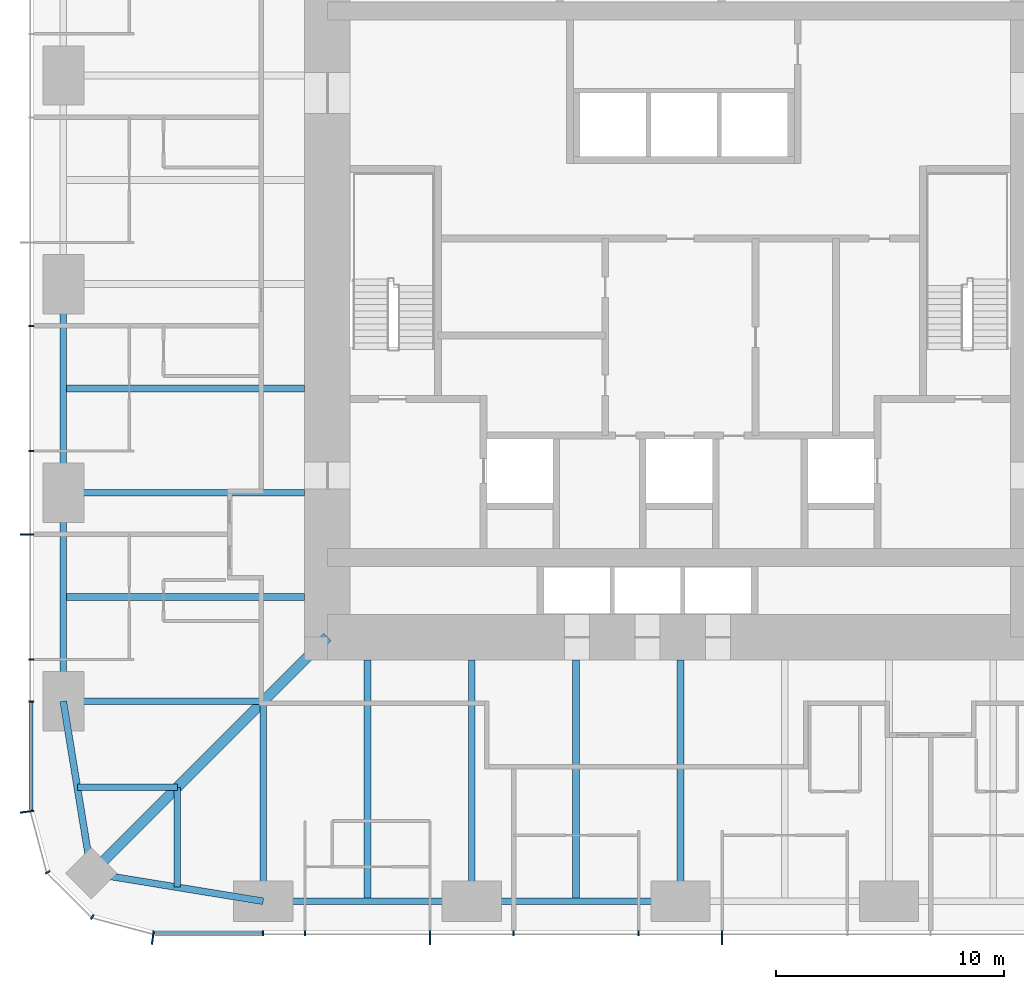
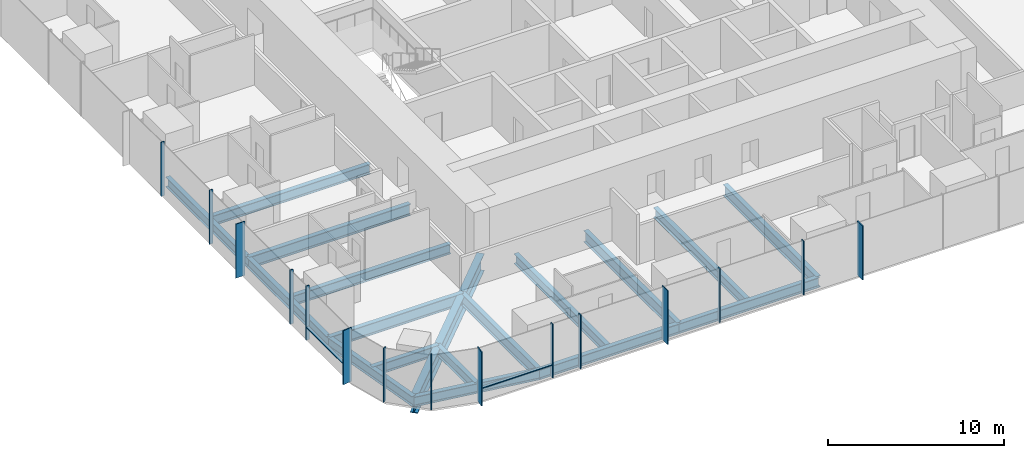
# One storey, part 2 of 13: 18 beams, 17 members, 3 elements without a shape of their own.
"""IFC4 building model written with IfcOpenShell, lengths in metres."""

from ifc_helpers import new_model, si_unit, direction, frame, origin, origin_2d, place, context, subcontext, project, spatial, rectangle, i_section, extrude, material, material_profile, profile_set, type_object, element, aggregate, save


model = new_model("IFC4")

# Units and contexts
model_context = context("Model", 3, precision=1e-05, world=origin(), true_north=direction((0.0, 1.0)))
body_context = subcontext(model_context, "Body", "Model", "MODEL_VIEW")
ifc_project = project(units=[si_unit("LENGTHUNIT", "METRE"), si_unit("AREAUNIT", "SQUARE_METRE"), si_unit("VOLUMEUNIT", "CUBIC_METRE"), si_unit("PLANEANGLEUNIT", "RADIAN"), si_unit("MASSUNIT", "GRAM", prefix="KILO")], contexts=[model_context])

# Site, building, storey
site_placement = place(None, origin())
site = spatial("IfcSite", under=ifc_project, at=site_placement, CompositionType="ELEMENT")
building_placement = place(site_placement, origin())
building = spatial("IfcBuilding", under=site, at=building_placement, Name="Khuree Lantern Residences", CompositionType="ELEMENT")
storey_placement = place(building_placement, frame((0.0, 0.0, 156.0)))
storey = spatial("IfcBuildingStorey", under=building, at=storey_placement, Name="L39", CompositionType="ELEMENT", Elevation=156.0)

# Beams
ifc_material_1 = material(Name="Steel S355", Category="steel")
ifc_material_profile_1 = material_profile(ifc_material_1, i_section(OverallWidth=0.300048828125, OverallDepth=0.68994140625, WebThickness=0.014404296875, FlangeThickness=0.027099609375, FilletRadius=0.027099609375, at=origin_2d()), Name="HE 700 A")
ifc_profile_set_1 = profile_set([ifc_material_profile_1], Name="Steel S355")
beam_type_1 = type_object("IfcBeamType", Name="B-24 SECONDARY BEAM HE 700 A", PredefinedType="BEAM", material=ifc_profile_set_1)
for number, where, z_axis, x_axis, name in (
    (1, (-4.580078125, -27.10009765625, -0.594970703125), (0.0, 1.0, 0.0), (-1.0, 0.0, 0.0), "Secondary beam S4"),
    (2, (-13.739990234375, -27.10009765625, -0.594970703125), (0.0, 1.0, 0.0), (-1.0, 0.0, 0.0), "Secondary beam S5"),
):
    element("IfcBeam", number, at=place(storey_placement, frame(where, z_axis=z_axis, x_axis=x_axis)), inside=storey, type_object=beam_type_1, Name=name, PredefinedType="BEAM", context=body_context, shape_type="SweptSolid", body=[
        extrude(i_section(OverallWidth=0.300048828125, OverallDepth=0.68994140625, WebThickness=0.014404296875, FlangeThickness=0.027099609375, FilletRadius=0.027099609375, at=origin_2d()), origin(), (0.0, 0.0, 1.0), 10.60009765625),
    ])
for number, where, z_axis, x_axis, name in (
    (3, (-22.094970703125, -26.48486328125, -0.594970703125), (0.0, 1.0, 0.0), (-1.0, 0.0, 0.0), "Secondary beam S6"),
    (4, (-26.48486328125, -22.094970703125, -0.594970703125), (1.0, 0.0, 0.0), (0.0, 1.0, 0.0), "Secondary beam W1"),
):
    element("IfcBeam", number, at=place(storey_placement, frame(where, z_axis=z_axis, x_axis=x_axis)), inside=storey, type_object=beam_type_1, Name=name, PredefinedType="BEAM", context=body_context, shape_type="SweptSolid", body=[
        extrude(i_section(OverallWidth=0.300048828125, OverallDepth=0.68994140625, WebThickness=0.014404296875, FlangeThickness=0.027099609375, FilletRadius=0.027099609375, at=origin_2d()), origin(), (0.0, 0.0, 1.0), 4.389892578125),
    ])
for number, where, z_axis, x_axis, name in (
    (5, (-27.10009765625, -13.739990234375, -0.594970703125), (1.0, 0.0, 0.0), (0.0, 1.0, 0.0), "Secondary beam W2"),
    (6, (-27.10009765625, -4.580078125, -0.594970703125), (1.0, 0.0, 0.0), (0.0, 1.0, 0.0), "Secondary beam W3"),
):
    element("IfcBeam", number, at=place(storey_placement, frame(where, z_axis=z_axis, x_axis=x_axis)), inside=storey, type_object=beam_type_1, Name=name, PredefinedType="BEAM", context=body_context, shape_type="SweptSolid", body=[
        extrude(i_section(OverallWidth=0.300048828125, OverallDepth=0.68994140625, WebThickness=0.014404296875, FlangeThickness=0.027099609375, FilletRadius=0.027099609375, at=origin_2d()), origin(), (0.0, 0.0, 1.0), 10.60009765625),
    ])
ifc_material_profile_2 = material_profile(ifc_material_1, i_section(OverallWidth=0.300048828125, OverallDepth=0.68994140625, WebThickness=0.014404296875, FlangeThickness=0.027099609375, FilletRadius=0.027099609375, at=origin_2d()), Name="HE 700 A")
ifc_profile_set_2 = profile_set([ifc_material_profile_2], Name="Steel S355")
beam_type_2 = type_object("IfcBeamType", Name="E-24 SPANDREL BEAM HE 700 A", PredefinedType="SPANDREL", material=ifc_profile_set_2)
beam_1_placement = place(storey_placement, frame((0.0, -27.10009765625, -0.594970703125), z_axis=(-1.0, 0.0, 0.0), x_axis=(0.0, -1.0, 0.0)))
element("IfcBeam", 7, at=beam_1_placement, inside=storey, type_object=beam_type_2, Name="Spandrel beam S4", PredefinedType="SPANDREL", context=body_context, shape_type="SweptSolid", body=[
    extrude(i_section(OverallWidth=0.300048828125, OverallDepth=0.68994140625, WebThickness=0.014404296875, FlangeThickness=0.027099609375, FilletRadius=0.027099609375, at=origin_2d()), origin(), (0.0, 0.0, 1.0), 9.159912109375),
])
beam_2_placement = place(storey_placement, frame((-9.159912109375, -27.10009765625, -0.594970703125), z_axis=(-1.0, 0.0, 0.0), x_axis=(0.0, -1.0, 0.0)))
element("IfcBeam", 8, at=beam_2_placement, inside=storey, type_object=beam_type_2, Name="Spandrel beam S5", PredefinedType="SPANDREL", context=body_context, shape_type="SweptSolid", body=[
    extrude(i_section(OverallWidth=0.300048828125, OverallDepth=0.68994140625, WebThickness=0.014404296875, FlangeThickness=0.027099609375, FilletRadius=0.027099609375, at=origin_2d()), origin(), (0.0, 0.0, 1.0), 9.16015625),
])
for number, where, z_axis, x_axis, name in (
    (9, (-18.320068359375, -27.10009765625, -0.594970703125), (-0.986982656839, 0.160826723833, 0.0), (-0.160826723833, -0.986982656839, 0.0), "Spandrel beam S6"),
    (10, (-25.869873046875, -25.869873046875, -0.594970703125), (-0.160826723833, 0.986982656839, 0.0), (-0.986982656839, -0.160826723833, 0.0), "Spandrel beam W1"),
):
    element("IfcBeam", number, at=place(storey_placement, frame(where, z_axis=z_axis, x_axis=x_axis)), inside=storey, type_object=beam_type_2, Name=name, PredefinedType="SPANDREL", context=body_context, shape_type="SweptSolid", body=[
        extrude(i_section(OverallWidth=0.300048828125, OverallDepth=0.68994140625, WebThickness=0.014404296875, FlangeThickness=0.027099609375, FilletRadius=0.027099609375, at=origin_2d()), origin(), (0.0, 0.0, 1.0), 7.6494140625),
    ])
beam_3_placement = place(storey_placement, frame((-27.10009765625, -18.320068359375, -0.594970703125), z_axis=(0.0, 1.0, 0.0), x_axis=(-1.0, 0.0, 0.0)))
element("IfcBeam", 11, at=beam_3_placement, inside=storey, type_object=beam_type_2, Name="Spandrel beam W2", PredefinedType="SPANDREL", context=body_context, shape_type="SweptSolid", body=[
    extrude(i_section(OverallWidth=0.300048828125, OverallDepth=0.68994140625, WebThickness=0.014404296875, FlangeThickness=0.027099609375, FilletRadius=0.027099609375, at=origin_2d()), origin(), (0.0, 0.0, 1.0), 9.16015625),
])
beam_4_placement = place(storey_placement, frame((-27.10009765625, -9.159912109375, -0.594970703125), z_axis=(0.0, 1.0, 0.0), x_axis=(-1.0, 0.0, 0.0)))
element("IfcBeam", 12, at=beam_4_placement, inside=storey, type_object=beam_type_2, Name="Spandrel beam W3", PredefinedType="SPANDREL", context=body_context, shape_type="SweptSolid", body=[
    extrude(i_section(OverallWidth=0.300048828125, OverallDepth=0.68994140625, WebThickness=0.014404296875, FlangeThickness=0.027099609375, FilletRadius=0.027099609375, at=origin_2d()), origin(), (0.0, 0.0, 1.0), 9.159912109375),
])

# Curtain wall, member
ifc_material_2 = material(Name="Bronze anodised aluminium", Category="aluminium")
curtain_wall_type_1 = type_object("IfcCurtainWallType", Name="CW-T1 TOWER FACE CURTAIN WALL", PredefinedType="USERDEFINED", material=ifc_material_2)
curtain_wall_1_placement = place(storey_placement, origin())
curtain_wall_1 = element("IfcCurtainWall", 13, at=curtain_wall_1_placement, inside=storey, type_object=curtain_wall_type_1, Name="L39 WEST FACE CURTAIN WALL", ObjectType="Stick-built curtain wall", PredefinedType="USERDEFINED")
ifc_material_profile_3 = material_profile(ifc_material_2, rectangle(XDim=0.06494140625, YDim=0.60009765625, at=origin_2d()), Name="F1 65X600")
ifc_profile_set_3 = profile_set([ifc_material_profile_3], Name="Bronze anodised aluminium")
member_type_1 = type_object("IfcMemberType", Name="F1 BRONZE FIN MULLION TOWER 65X600", PredefinedType="MULLION", material=ifc_profile_set_3)
member_1_placement = place(storey_placement, frame((-28.699951171875, -10.991943359375, 0.0), z_axis=(0.0, 0.0, 1.0), x_axis=(0.0, -1.0, 0.0)))
member_1 = element("IfcMember", 14, at=member_1_placement, type_object=member_type_1, Name="L39 WEST FACE FIN MULLION 40", PredefinedType="MULLION", context=body_context, shape_type="SweptSolid", body=[
    extrude(rectangle(XDim=0.06494140625, YDim=0.60009765625, at=origin_2d()), origin(), (0.0, 0.0, 1.0), 3.75),
])

curtain_wall_type_2 = type_object("IfcCurtainWallType", Name="CW-T2 TOWER CORNER CURTAIN WALL", PredefinedType="USERDEFINED", material=ifc_material_2)
curtain_wall_2_placement = place(storey_placement, origin())
curtain_wall_2 = element("IfcCurtainWall", 15, at=curtain_wall_2_placement, inside=storey, type_object=curtain_wall_type_2, Name="L39 SOUTH-WEST CORNER CURTAIN WALL", ObjectType="Faceted corner curtain wall", PredefinedType="USERDEFINED")
member_2_placement = place(storey_placement, frame((-28.7001953125, -23.169677734375, 0.0), z_axis=(0.0, 0.0, 1.0), x_axis=(0.130526223125, -0.991444857305, 0.0)))
member_2 = element("IfcMember", 16, at=member_2_placement, type_object=member_type_1, Name="L39 SOUTH-WEST CORNER FIN MULLION 43", PredefinedType="MULLION", context=body_context, shape_type="SweptSolid", body=[
    extrude(rectangle(XDim=0.06494140625, YDim=0.60009765625, at=origin_2d()), origin(), (0.0, 0.0, 1.0), 3.75),
])

# Curtain wall, members
curtain_wall_3_placement = place(storey_placement, origin())
curtain_wall_3 = element("IfcCurtainWall", 17, at=curtain_wall_3_placement, inside=storey, type_object=curtain_wall_type_1, Name="L39 SOUTH FACE CURTAIN WALL", ObjectType="Stick-built curtain wall", PredefinedType="USERDEFINED")
member_3_placement = place(storey_placement, frame((-23.169677734375, -28.7001953125, 0.0), z_axis=(0.0, 0.0, 1.0), x_axis=(0.991444857305, -0.130526223125, 0.0)))
member_3 = element("IfcMember", 18, at=member_3_placement, type_object=member_type_1, Name="L39 SOUTH FACE FIN MULLION 46", PredefinedType="MULLION", context=body_context, shape_type="SweptSolid", body=[
    extrude(rectangle(XDim=0.06494140625, YDim=0.60009765625, at=origin_2d()), origin(), (0.0, 0.0, 1.0), 3.75),
])
member_4_placement = place(storey_placement, frame((-10.991943359375, -28.699951171875, 0.0), z_axis=(0.0, 0.0, 1.0), x_axis=(1.0, 0.0, 0.0)))
member_4 = element("IfcMember", 19, at=member_4_placement, type_object=member_type_1, Name="L39 SOUTH FACE FIN MULLION 49", PredefinedType="MULLION", context=body_context, shape_type="SweptSolid", body=[
    extrude(rectangle(XDim=0.06494140625, YDim=0.60009765625, at=origin_2d()), origin(), (0.0, 0.0, 1.0), 3.75),
])
member_5_placement = place(storey_placement, frame((1.83203125, -28.699951171875, 0.0), z_axis=(0.0, 0.0, 1.0), x_axis=(1.0, 0.0, 0.0)))
member_5 = element("IfcMember", 20, at=member_5_placement, type_object=member_type_1, Name="L39 SOUTH FACE FIN MULLION 52", PredefinedType="MULLION", context=body_context, shape_type="SweptSolid", body=[
    extrude(rectangle(XDim=0.06494140625, YDim=0.60009765625, at=origin_2d()), origin(), (0.0, 0.0, 1.0), 3.75),
])

# Beams
ifc_material_profile_4 = material_profile(ifc_material_1, i_section(OverallWidth=0.300048828125, OverallDepth=0.800048828125, WebThickness=0.017578125, FlangeThickness=0.032958984375, FilletRadius=0.030029296875, at=origin_2d()), Name="HE 800 B")
ifc_profile_set_4 = profile_set([ifc_material_profile_4], Name="Steel S355")
beam_type_3 = type_object("IfcBeamType", Name="G-24 GIRDER HE 800 B", PredefinedType="BEAM", material=ifc_profile_set_4)
for number, where, z_axis, x_axis, name in (
    (21, (0.0, -27.10009765625, -0.64990234375), (0.0, 1.0, 0.0), (-1.0, 0.0, 0.0), "Girder S3"),
    (22, (-9.159912109375, -27.10009765625, -0.64990234375), (0.0, 1.0, 0.0), (-1.0, 0.0, 0.0), "Girder S4"),
):
    element("IfcBeam", number, at=place(storey_placement, frame(where, z_axis=z_axis, x_axis=x_axis)), inside=storey, type_object=beam_type_3, Name=name, PredefinedType="BEAM", context=body_context, shape_type="SweptSolid", body=[
        extrude(i_section(OverallWidth=0.300048828125, OverallDepth=0.800048828125, WebThickness=0.017578125, FlangeThickness=0.032958984375, FilletRadius=0.030029296875, at=origin_2d()), origin(), (0.0, 0.0, 1.0), 10.60009765625),
    ])
for number, where, z_axis, x_axis, name in (
    (23, (-18.320068359375, -27.10009765625, -0.64990234375), (0.0, 1.0, 0.0), (-1.0, 0.0, 0.0), "Girder S5"),
    (24, (-27.10009765625, -18.320068359375, -0.64990234375), (1.0, 0.0, 0.0), (0.0, 1.0, 0.0), "Girder W1"),
):
    element("IfcBeam", number, at=place(storey_placement, frame(where, z_axis=z_axis, x_axis=x_axis)), inside=storey, type_object=beam_type_3, Name=name, PredefinedType="BEAM", context=body_context, shape_type="SweptSolid", body=[
        extrude(i_section(OverallWidth=0.300048828125, OverallDepth=0.800048828125, WebThickness=0.017578125, FlangeThickness=0.032958984375, FilletRadius=0.030029296875, at=origin_2d()), origin(), (0.0, 0.0, 1.0), 8.780029296875),
    ])
beam_5_placement = place(storey_placement, frame((-27.10009765625, -9.159912109375, -0.64990234375), z_axis=(1.0, 0.0, 0.0), x_axis=(0.0, 1.0, 0.0)))
element("IfcBeam", 25, at=beam_5_placement, inside=storey, type_object=beam_type_3, Name="Girder W2", PredefinedType="BEAM", context=body_context, shape_type="SweptSolid", body=[
    extrude(i_section(OverallWidth=0.300048828125, OverallDepth=0.800048828125, WebThickness=0.017578125, FlangeThickness=0.032958984375, FilletRadius=0.030029296875, at=origin_2d()), origin(), (0.0, 0.0, 1.0), 10.60009765625),
])
ifc_material_profile_5 = material_profile(ifc_material_1, i_section(OverallWidth=0.449951171875, OverallDepth=1.199951171875, WebThickness=0.02490234375, FlangeThickness=0.044921875, at=origin_2d()), Name="WELDED I 1200X450X25X45")
ifc_profile_set_5 = profile_set([ifc_material_profile_5], Name="Steel S355")
beam_type_4 = type_object("IfcBeamType", Name="GD-24 CORNER GIRDER WELDED I 1200X450X25X45", PredefinedType="BEAM", material=ifc_profile_set_5)
beam_6_placement = place(storey_placement, frame((-25.869873046875, -25.869873046875, -0.85009765625), z_axis=(0.707106781187, 0.707106781187, 0.0), x_axis=(-0.707106781187, 0.707106781187, 0.0)))
element("IfcBeam", 26, at=beam_6_placement, inside=storey, type_object=beam_type_4, Name="Corner girder SW", PredefinedType="BEAM", context=body_context, shape_type="SweptSolid", body=[
    extrude(i_section(OverallWidth=0.449951171875, OverallDepth=1.199951171875, WebThickness=0.02490234375, FlangeThickness=0.044921875, at=origin_2d()), origin(), (0.0, 0.0, 1.0), 14.665283203125),
])

# Member
ifc_material_profile_6 = material_profile(ifc_material_2, rectangle(XDim=0.06494140625, YDim=0.219970703125, at=origin_2d()), Name="M1 65X220")
ifc_profile_set_6 = profile_set([ifc_material_profile_6], Name="Bronze anodised aluminium")
member_type_2 = type_object("IfcMemberType", Name="M1 BRONZE MULLION TOWER 65X220", PredefinedType="MULLION", material=ifc_profile_set_6)
member_6_placement = place(storey_placement, frame((-28.510009765625, -1.83203125, 0.0), z_axis=(0.0, 0.0, 1.0), x_axis=(0.0, -1.0, 0.0)))
member_6 = element("IfcMember", 27, at=member_6_placement, type_object=member_type_2, Name="L39 WEST FACE MULLION 38", PredefinedType="MULLION", context=body_context, shape_type="SweptSolid", body=[
    extrude(rectangle(XDim=0.06494140625, YDim=0.219970703125, at=origin_2d()), origin(), (0.0, 0.0, 1.0), 3.75),
])

member_7_placement = place(storey_placement, frame((-28.510009765625, -7.327880859375, 0.0), z_axis=(0.0, 0.0, 1.0), x_axis=(0.0, -1.0, 0.0)))
member_7 = element("IfcMember", 28, at=member_7_placement, type_object=member_type_2, Name="L39 WEST FACE MULLION 39", PredefinedType="MULLION", context=body_context, shape_type="SweptSolid", body=[
    extrude(rectangle(XDim=0.06494140625, YDim=0.219970703125, at=origin_2d()), origin(), (0.0, 0.0, 1.0), 3.75),
])

member_8_placement = place(storey_placement, frame((-28.510009765625, -16.488037109375, 0.0), z_axis=(0.0, 0.0, 1.0), x_axis=(0.0, -1.0, 0.0)))
member_8 = element("IfcMember", 29, at=member_8_placement, type_object=member_type_2, Name="L39 WEST FACE MULLION 41", PredefinedType="MULLION", context=body_context, shape_type="SweptSolid", body=[
    extrude(rectangle(XDim=0.06494140625, YDim=0.219970703125, at=origin_2d()), origin(), (0.0, 0.0, 1.0), 3.75),
])

member_9_placement = place(storey_placement, frame((-28.510009765625, -18.320068359375, 0.0), z_axis=(0.0, 0.0, 1.0), x_axis=(0.0, -1.0, 0.0)))
member_9 = element("IfcMember", 30, at=member_9_placement, type_object=member_type_2, Name="L39 WEST FACE MULLION 42", PredefinedType="MULLION", context=body_context, shape_type="SweptSolid", body=[
    extrude(rectangle(XDim=0.06494140625, YDim=0.219970703125, at=origin_2d()), origin(), (0.0, 0.0, 1.0), 3.75),
])

member_10_placement = place(storey_placement, frame((-27.7919921875, -25.830078125, 0.0), z_axis=(0.0, 0.0, 1.0), x_axis=(0.500000026995, -0.866025388199, 0.0)))
member_10 = element("IfcMember", 31, at=member_10_placement, type_object=member_type_2, Name="L39 SOUTH-WEST CORNER MULLION 44", PredefinedType="MULLION", context=body_context, shape_type="SweptSolid", body=[
    extrude(rectangle(XDim=0.06494140625, YDim=0.219970703125, at=origin_2d()), origin(), (0.0, 0.0, 1.0), 3.75),
])

member_11_placement = place(storey_placement, frame((-25.830078125, -27.7919921875, 0.0), z_axis=(0.0, 0.0, 1.0), x_axis=(0.866025388199, -0.500000026995, 0.0)))
member_11 = element("IfcMember", 32, at=member_11_placement, type_object=member_type_2, Name="L39 SOUTH-WEST CORNER MULLION 45", PredefinedType="MULLION", context=body_context, shape_type="SweptSolid", body=[
    extrude(rectangle(XDim=0.06494140625, YDim=0.219970703125, at=origin_2d()), origin(), (0.0, 0.0, 1.0), 3.75),
])

aggregate(curtain_wall_2, [member_2, member_10, member_11])

member_12_placement = place(storey_placement, frame((-18.320068359375, -28.510009765625, 0.0), z_axis=(0.0, 0.0, 1.0), x_axis=(1.0, 0.0, 0.0)))
member_12 = element("IfcMember", 33, at=member_12_placement, type_object=member_type_2, Name="L39 SOUTH FACE MULLION 47", PredefinedType="MULLION", context=body_context, shape_type="SweptSolid", body=[
    extrude(rectangle(XDim=0.06494140625, YDim=0.219970703125, at=origin_2d()), origin(), (0.0, 0.0, 1.0), 3.75),
])

member_13_placement = place(storey_placement, frame((-16.488037109375, -28.510009765625, 0.0), z_axis=(0.0, 0.0, 1.0), x_axis=(1.0, 0.0, 0.0)))
member_13 = element("IfcMember", 34, at=member_13_placement, type_object=member_type_2, Name="L39 SOUTH FACE MULLION 48", PredefinedType="MULLION", context=body_context, shape_type="SweptSolid", body=[
    extrude(rectangle(XDim=0.06494140625, YDim=0.219970703125, at=origin_2d()), origin(), (0.0, 0.0, 1.0), 3.75),
])

member_14_placement = place(storey_placement, frame((-7.327880859375, -28.510009765625, 0.0), z_axis=(0.0, 0.0, 1.0), x_axis=(1.0, 0.0, 0.0)))
member_14 = element("IfcMember", 35, at=member_14_placement, type_object=member_type_2, Name="L39 SOUTH FACE MULLION 50", PredefinedType="MULLION", context=body_context, shape_type="SweptSolid", body=[
    extrude(rectangle(XDim=0.06494140625, YDim=0.219970703125, at=origin_2d()), origin(), (0.0, 0.0, 1.0), 3.75),
])

member_15_placement = place(storey_placement, frame((-1.83203125, -28.510009765625, 0.0), z_axis=(0.0, 0.0, 1.0), x_axis=(1.0, 0.0, 0.0)))
member_15 = element("IfcMember", 36, at=member_15_placement, type_object=member_type_2, Name="L39 SOUTH FACE MULLION 51", PredefinedType="MULLION", context=body_context, shape_type="SweptSolid", body=[
    extrude(rectangle(XDim=0.06494140625, YDim=0.219970703125, at=origin_2d()), origin(), (0.0, 0.0, 1.0), 3.75),
])

ifc_material_profile_7 = material_profile(ifc_material_2, rectangle(XDim=0.179931640625, YDim=0.06494140625, at=origin_2d()), Name="T1 180X65")
ifc_profile_set_7 = profile_set([ifc_material_profile_7], Name="Bronze anodised aluminium")
member_type_3 = type_object("IfcMemberType", Name="TRANSOM T1 TOWER 180X65", PredefinedType="USERDEFINED", material=ifc_profile_set_7)
member_16_placement = place(storey_placement, frame((-28.52001953125, -18.3525390625, 0.89990234375), z_axis=(0.0, -1.0, 0.0), x_axis=(1.0, 0.0, 0.0)))
member_16 = element("IfcMember", 37, at=member_16_placement, type_object=member_type_3, Name="L39 WEST FACE TRANSOM 42.1", ObjectType="Transom", PredefinedType="USERDEFINED", context=body_context, shape_type="SweptSolid", body=[
    extrude(rectangle(XDim=0.179931640625, YDim=0.06494140625, at=origin_2d()), origin(), (0.0, 0.0, 1.0), 4.748779296875),
])

aggregate(curtain_wall_1, [member_6, member_7, member_1, member_8, member_9, member_16])

member_17_placement = place(storey_placement, frame((-23.101318359375, -28.52001953125, 0.89990234375), z_axis=(1.0, 0.0, 0.0), x_axis=(0.0, 1.0, 0.0)))
member_17 = element("IfcMember", 38, at=member_17_placement, type_object=member_type_3, Name="L39 SOUTH FACE TRANSOM 46.1", ObjectType="Transom", PredefinedType="USERDEFINED", context=body_context, shape_type="SweptSolid", body=[
    extrude(rectangle(XDim=0.179931640625, YDim=0.06494140625, at=origin_2d()), origin(), (0.0, 0.0, 1.0), 4.748779296875),
])

aggregate(curtain_wall_3, [member_3, member_12, member_13, member_4, member_14, member_15, member_5, member_17])

save(model, "model.ifc")
